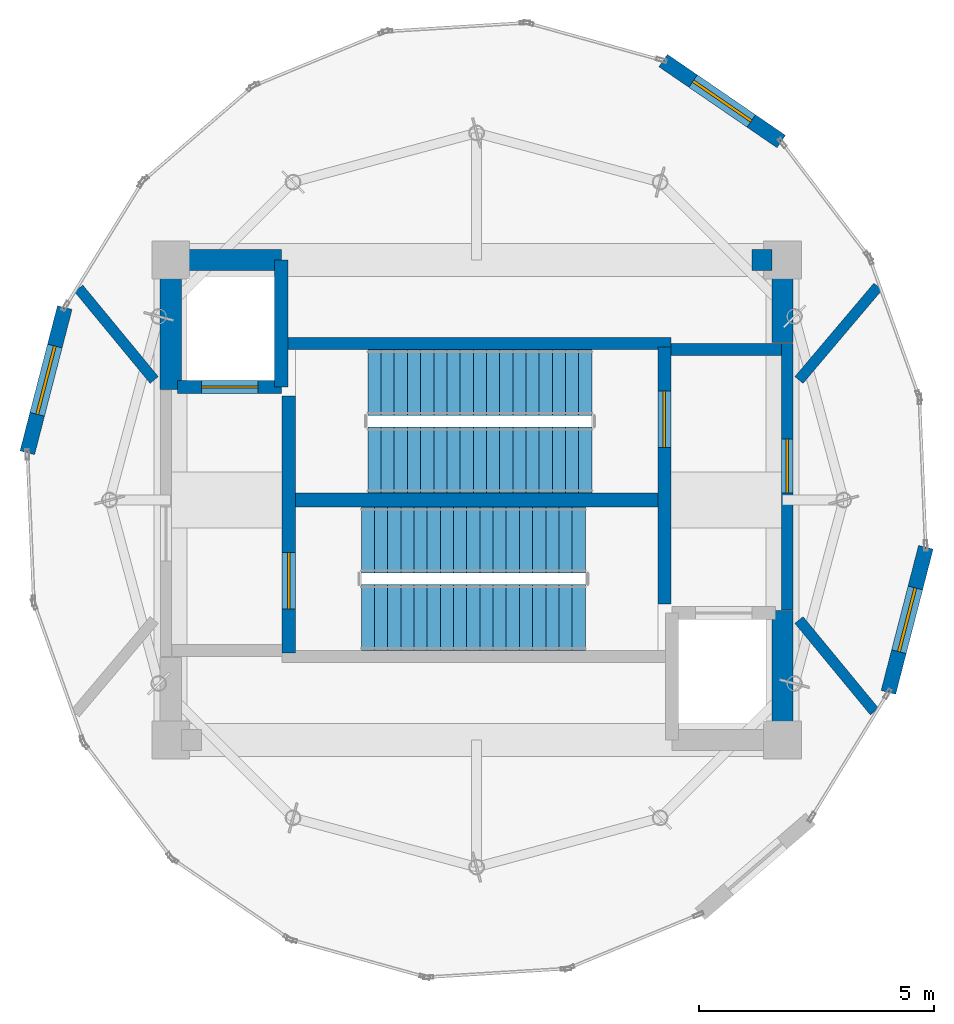
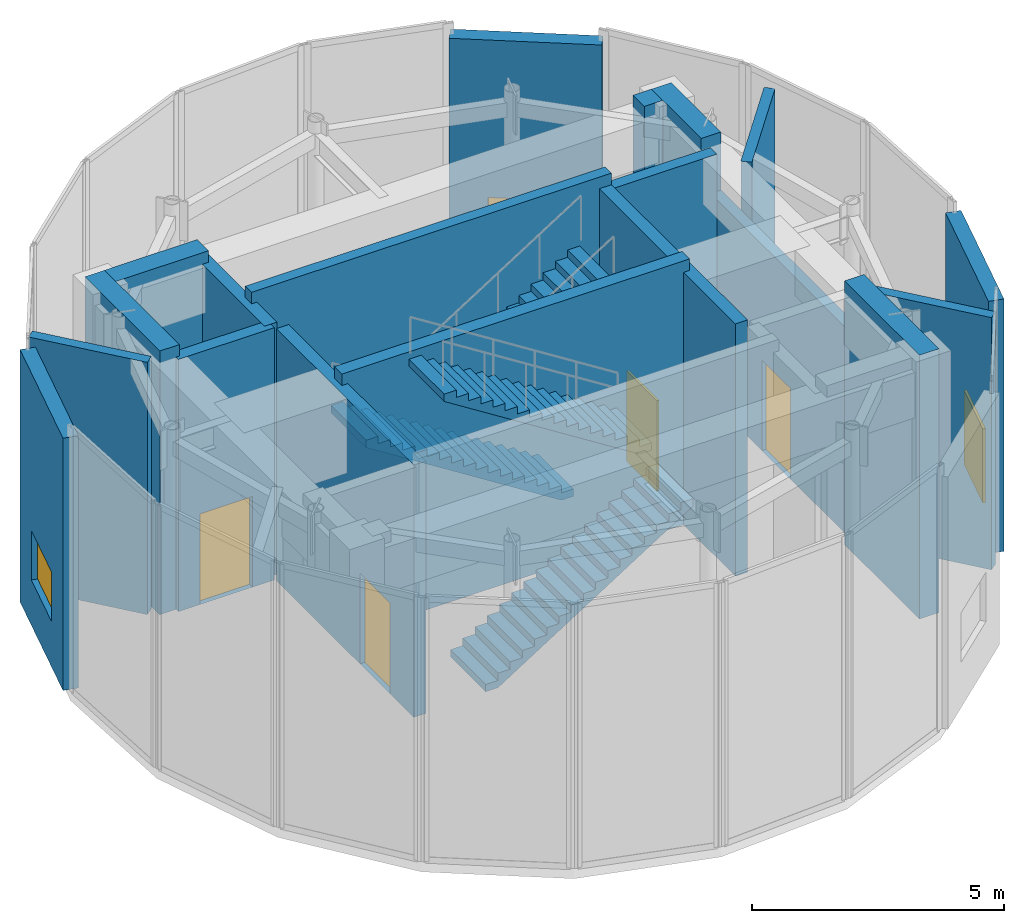
# One storey, part 7 of 8: 19 walls, 4 doors, 4 stair flights, 3 windows, 7 openings, 2 elements without a shape of their own.
"""IFC4 building model written with IfcOpenShell, lengths in metres."""

from ifc_helpers import new_model, si_unit, direction, frame, frame_2d, origin, place, context, subcontext, project, spatial, polyline, rectangle, outline, extrude, material, layer, layer_set, type_object, element, fill, aggregate, save


model = new_model("IFC4")

# Units and contexts
model_context = context("Model", 3, precision=1e-05, world=origin(), true_north=direction((0.0, 1.0)))
body_context = subcontext(model_context, "Body", "Model", "MODEL_VIEW")
ifc_project = project(units=[si_unit("LENGTHUNIT", "METRE"), si_unit("AREAUNIT", "SQUARE_METRE"), si_unit("VOLUMEUNIT", "CUBIC_METRE"), si_unit("PLANEANGLEUNIT", "RADIAN"), si_unit("MASSUNIT", "GRAM", prefix="KILO")], contexts=[model_context])

# Site, building, storey
site_placement = place(None, origin())
site = spatial("IfcSite", under=ifc_project, at=site_placement, CompositionType="ELEMENT")
building_placement = place(site_placement, origin())
building = spatial("IfcBuilding", under=site, at=building_placement, Name="Solvirekh Grand Hotel", CompositionType="ELEMENT")
storey_placement = place(building_placement, frame((0.0, 0.0, 327.39990234375)))
storey = spatial("IfcBuildingStorey", under=building, at=storey_placement, Name="L82", CompositionType="ELEMENT", Elevation=327.39990234375)

# Wall
ifc_material_1 = material(Name="Concrete C50/60", Category="concrete")
ifc_layer_1 = layer(ifc_material_1, 0.35009765625)
ifc_layer_set_1 = layer_set([ifc_layer_1], Name="Concrete C50/60")
wall_type_1 = type_object("IfcWallType", Name="CoreDivWall_RC350", PredefinedType="SOLIDWALL", material=ifc_layer_set_1)
wall_1_placement = place(storey_placement, frame((-4.1298828125, 3.324951171875, 0.0), z_axis=(0.0, 0.0, 1.0), x_axis=(1.0, 0.0, 0.0)))
element("IfcWall", 1, at=wall_1_placement, inside=storey, type_object=wall_type_1, Name="L82 core stair box wall ST-N", PredefinedType="SOLIDWALL", context=body_context, shape_type="SweptSolid", body=[
    extrude(rectangle(XDim=8.259765625, YDim=0.25, at=frame_2d((4.1298828125, 0.0))), origin(), (0.0, 0.0, 1.0), 6.400146484375),
])

# Wall, opening, door
ifc_material_2 = material(Name="Concrete C40/50", Category="concrete")
ifc_layer_2 = layer(ifc_material_2, 0.280029296875)
ifc_layer_set_2 = layer_set([ifc_layer_2], Name="Concrete C40/50")
wall_type_2 = type_object("IfcWallType", Name="CoreShaftWall_RC280", PredefinedType="SOLIDWALL", material=ifc_layer_set_2)
wall_2_placement = place(storey_placement, frame((-6.35009765625, 2.39990234375, 0.0), z_axis=(0.0, 0.0, 1.0), x_axis=(1.0, 0.0, 0.0)))
wall_2 = element("IfcWall", 2, at=wall_2_placement, inside=storey, type_object=wall_type_2, Name="L82 FL-1 hoistway S wall", PredefinedType="SOLIDWALL", context=body_context, shape_type="SweptSolid", body=[
    extrude(rectangle(XDim=2.2001953125, YDim=0.280029296875, at=frame_2d((1.10009765625, 0.0))), origin(), (0.0, 0.0, 1.0), 6.1201171875),
])
opening_1_placement = place(wall_2_placement, frame((0.5, 0.0, 0.0)))
opening_1 = element("IfcOpeningElement", 3, at=opening_1_placement, cuts=wall_2, Name="Opening LD02", PredefinedType="OPENING", context=body_context, shape_type="SweptSolid", body=[
    extrude(rectangle(XDim=1.199951171875, YDim=2.199951171875, at=frame_2d((0.60009765625, 1.10009765625))), frame((0.0, 0.14990234375, 0.0), z_axis=(0.0, -1.0, 0.0), x_axis=(1.0, 0.0, 0.0)), (0.0, 0.0, 1.0), 0.300048828125),
])
ifc_material_3 = material(Name="Fire-Rated Steel Door Assembly", Category="steel")
door_type_1 = type_object("IfcDoorType", Name="Door_LiftFF_1200X2200", OperationType="SLIDING_TO_LEFT", PredefinedType="DOOR", material=ifc_material_3)
door_1_placement = place(opening_1_placement, origin())
door_1 = element("IfcDoor", 4, at=door_1_placement, inside=storey, type_object=door_type_1, Name="L82 FL-1 sliding lift landing door", OperationType="SLIDING_TO_LEFT", OverallHeight=2.199951171875, OverallWidth=1.199951171875, PredefinedType="DOOR", context=body_context, shape_type="SweptSolid", body=[
    extrude(rectangle(XDim=1.199951171875, YDim=2.199951171875, at=frame_2d((0.60009765625, 1.10009765625))), frame((0.0, 0.02490234375, 0.0), z_axis=(0.0, -1.0, 0.0), x_axis=(1.0, 0.0, 0.0)), (0.0, 0.0, 1.0), 0.050048828125),
])
fill(opening_1, door_1)

# Wall
wall_3_placement = place(storey_placement, frame((-4.14990234375, 2.39990234375, 0.0), z_axis=(0.0, 0.0, 1.0), x_axis=(0.0, 1.0, 0.0)))
element("IfcWall", 5, at=wall_3_placement, inside=storey, type_object=wall_type_2, Name="L82 FL-1 hoistway E wall", PredefinedType="SOLIDWALL", context=body_context, shape_type="SweptSolid", body=[
    extrude(rectangle(XDim=2.7001953125, YDim=0.280029296875, at=frame_2d((1.35009765625, 0.0))), origin(), (0.0, 0.0, 1.0), 6.1201171875),
])

# Wall, opening, door
wall_4_placement = place(storey_placement, frame((-3.989990234375, -3.25, 0.0), z_axis=(0.0, 0.0, 1.0), x_axis=(0.0, 1.0, 0.0)))
wall_4 = element("IfcWall", 6, at=wall_4_placement, inside=storey, type_object=wall_type_2, Name="L82 west stair landing enclosure wall", PredefinedType="SOLIDWALL", context=body_context, shape_type="SweptSolid", body=[
    extrude(rectangle(XDim=5.4599609375, YDim=0.280029296875, at=frame_2d((2.72998046875, 0.0))), origin(), (0.0, 0.0, 1.0), 6.1201171875),
])
opening_2_placement = place(wall_4_placement, frame((0.93701171875, 0.0, 0.0)))
opening_2 = element("IfcOpeningElement", 7, at=opening_2_placement, cuts=wall_4, Name="Opening D05", PredefinedType="OPENING", context=body_context, shape_type="SweptSolid", body=[
    extrude(rectangle(XDim=1.199951171875, YDim=2.199951171875, at=frame_2d((0.60009765625, 1.10009765625))), frame((0.0, 0.14990234375, 0.0), z_axis=(0.0, -1.0, 0.0), x_axis=(1.0, 0.0, 0.0)), (0.0, 0.0, 1.0), 0.300048828125),
])
door_type_2 = type_object("IfcDoorType", Name="Door_StairCore_1200X2200", OperationType="NOTDEFINED", PredefinedType="DOOR", material=ifc_material_3)
door_2_placement = place(opening_2_placement, origin())
door_2 = element("IfcDoor", 8, at=door_2_placement, inside=storey, type_object=door_type_2, Name="L82 exit stair ST-1 fire door", OperationType="SINGLE_SWING_RIGHT", OverallHeight=2.199951171875, OverallWidth=1.199951171875, PredefinedType="DOOR", context=body_context, shape_type="SweptSolid", body=[
    extrude(rectangle(XDim=1.199951171875, YDim=2.199951171875, at=frame_2d((0.60009765625, 1.10009765625))), frame((0.0, 0.02490234375, 0.0), z_axis=(0.0, -1.0, 0.0), x_axis=(1.0, 0.0, 0.0)), (0.0, 0.0, 1.0), 0.050048828125),
])
fill(opening_2, door_2)

wall_5_placement = place(storey_placement, frame((3.989990234375, -2.2099609375, 0.0), z_axis=(0.0, 0.0, 1.0), x_axis=(0.0, 1.0, 0.0)))
wall_5 = element("IfcWall", 9, at=wall_5_placement, inside=storey, type_object=wall_type_2, Name="L82 east stair landing enclosure wall", PredefinedType="SOLIDWALL", context=body_context, shape_type="SweptSolid", body=[
    extrude(rectangle(XDim=5.4599609375, YDim=0.280029296875, at=frame_2d((2.72998046875, 0.0))), origin(), (0.0, 0.0, 1.0), 6.1201171875),
])
opening_3_placement = place(wall_5_placement, frame((3.322998046875, 0.0, 0.0)))
opening_3 = element("IfcOpeningElement", 10, at=opening_3_placement, cuts=wall_5, Name="Opening D05", PredefinedType="OPENING", context=body_context, shape_type="SweptSolid", body=[
    extrude(rectangle(XDim=1.199951171875, YDim=2.199951171875, at=frame_2d((0.60009765625, 1.10009765625))), frame((0.0, 0.14990234375, 0.0), z_axis=(0.0, -1.0, 0.0), x_axis=(1.0, 0.0, 0.0)), (0.0, 0.0, 1.0), 0.300048828125),
])
door_3_placement = place(opening_3_placement, origin())
door_3 = element("IfcDoor", 11, at=door_3_placement, inside=storey, type_object=door_type_2, Name="L82 exit stair ST-2 fire door", OperationType="SINGLE_SWING_LEFT", OverallHeight=2.199951171875, OverallWidth=1.199951171875, PredefinedType="DOOR", context=body_context, shape_type="SweptSolid", body=[
    extrude(rectangle(XDim=1.199951171875, YDim=2.199951171875, at=frame_2d((0.60009765625, 1.10009765625))), frame((0.0, 0.02490234375, 0.0), z_axis=(0.0, -1.0, 0.0), x_axis=(1.0, 0.0, 0.0)), (0.0, 0.0, 1.0), 0.050048828125),
])
fill(opening_3, door_3)

# Walls
ifc_layer_3 = layer(ifc_material_1, 0.449951171875)
ifc_layer_set_3 = layer_set([ifc_layer_3], Name="Concrete C50/60")
wall_type_3 = type_object("IfcWallType", Name="CoreWall_RC450", PredefinedType="SHEAR", material=ifc_layer_set_3)
wall_6_placement = place(storey_placement, frame((-3.989990234375, 0.0, 0.0), z_axis=(0.0, 0.0, 1.0), x_axis=(1.0, 0.0, 0.0)))
element("IfcWall", 12, at=wall_6_placement, inside=storey, type_object=wall_type_3, Name="L82 central stair-spine shear wall", PredefinedType="SHEAR", context=body_context, shape_type="SweptSolid", body=[
    extrude(rectangle(XDim=7.97998046875, YDim=0.300048828125, at=frame_2d((3.989990234375, 0.0))), origin(), (0.0, 0.0, 1.0), 6.400146484375),
])
wall_7_placement = place(storey_placement, frame((-6.27490234375, 5.10009765625, 0.0), z_axis=(0.0, 0.0, 1.0), x_axis=(1.0, 0.0, 0.0)))
element("IfcWall", 13, at=wall_7_placement, inside=storey, type_object=wall_type_3, Name="L82 core corner shear wall NW-N", PredefinedType="SHEAR", context=body_context, shape_type="SweptSolid", body=[
    extrude(rectangle(XDim=2.125, YDim=0.449951171875, at=frame_2d((1.0625, 0.0))), origin(), (0.0, 0.0, 1.0), 6.400146484375),
])
wall_8_placement = place(storey_placement, frame((5.85009765625, 5.10009765625, 0.0), z_axis=(0.0, 0.0, 1.0), x_axis=(1.0, 0.0, 0.0)))
element("IfcWall", 14, at=wall_8_placement, inside=storey, type_object=wall_type_3, Name="L82 core corner shear wall NE-N", PredefinedType="SHEAR", context=body_context, shape_type="SweptSolid", body=[
    extrude(rectangle(XDim=0.4248046875, YDim=0.449951171875, at=frame_2d((0.21240234375, 0.0))), origin(), (0.0, 0.0, 1.0), 6.400146484375),
])
for number, where, z_axis, x_axis, name in (
    (15, (-6.5, 2.35009765625, 0.0), (0.0, 0.0, 1.0), (0.0, 1.0, 0.0), "L82 core corner shear wall WN-W"),
    (16, (6.5, -5.324951171875, 0.0), (0.0, 0.0, 1.0), (0.0, 1.0, 0.0), "L82 core corner shear wall ES-E"),
):
    element("IfcWall", number, at=place(storey_placement, frame(where, z_axis=z_axis, x_axis=x_axis)), inside=storey, type_object=wall_type_3, Name=name, PredefinedType="SHEAR", context=body_context, shape_type="SweptSolid", body=[
        extrude(rectangle(XDim=2.974853515625, YDim=0.449951171875, at=frame_2d((1.4873046875, 0.0))), origin(), (0.0, 0.0, 1.0), 6.400146484375),
    ])
wall_9_placement = place(storey_placement, frame((6.5, 3.35009765625, 0.0), z_axis=(0.0, 0.0, 1.0), x_axis=(0.0, 1.0, 0.0)))
element("IfcWall", 17, at=wall_9_placement, inside=storey, type_object=wall_type_3, Name="L82 core corner shear wall EN-E", PredefinedType="SHEAR", context=body_context, shape_type="SweptSolid", body=[
    extrude(rectangle(XDim=1.974853515625, YDim=0.449951171875, at=frame_2d((0.9873046875, 0.0))), origin(), (0.0, 0.0, 1.0), 6.400146484375),
])

# Wall, opening, window
ifc_material_4 = material(Name="Precast concrete C45/55", Category="concrete")
ifc_layer_4 = layer(ifc_material_4, 0.320068359375)
ifc_layer_set_4 = layer_set([ifc_layer_4], Name="Precast concrete C45/55")
wall_type_4 = type_object("IfcWallType", Name="ExtLobbyWall_RC320", PredefinedType="SOLIDWALL", material=ifc_layer_set_4)
wall_10_placement = place(storey_placement, frame((9.547119140625, -1.0029296875, 0.0), z_axis=(0.0, 0.0, 1.0), x_axis=(-0.249792300877, -0.968299440474, 0.0)))
wall_10 = element("IfcWall", 18, at=wall_10_placement, inside=storey, type_object=wall_type_4, Name="L82 exterior structural wall chord 5", PredefinedType="SOLIDWALL", context=body_context, shape_type="SweptSolid", body=[
    extrude(rectangle(XDim=3.187255859375, YDim=0.320068359375, at=frame_2d((1.59375, 0.0))), origin(), (0.0, 0.0, 1.0), 6.1201171875),
])
opening_4_placement = place(wall_10_placement, frame((0.89404296875, 0.0, 0.60009765625)))
opening_4 = element("IfcOpeningElement", 19, at=opening_4_placement, cuts=wall_10, Name="Opening SK03", PredefinedType="OPENING", context=body_context, shape_type="SweptSolid", body=[
    extrude(rectangle(XDim=1.39990234375, YDim=1.800048828125, at=frame_2d((0.699951171875, 0.89990234375))), frame((0.0, 0.169921875, 0.0), z_axis=(0.0, -1.0, 0.0), x_axis=(1.0, 0.0, 0.0)), (0.0, 0.0, 1.0), 0.340087890625),
])
ifc_material_5 = material(Name="Champagne Low-Iron Crown Laminated Glass", Category="glass")
window_type_1 = type_object("IfcWindowType", Name="Skylight_Crown_1400X1800", PartitioningType="SINGLE_PANEL", PredefinedType="SKYLIGHT", material=ifc_material_5)
window_1_placement = place(opening_4_placement, origin())
window_1 = element("IfcWindow", 20, at=window_1_placement, inside=storey, type_object=window_type_1, Name="L82 high-level clerestory skylight 5", OverallHeight=1.800048828125, OverallWidth=1.39990234375, PartitioningType="SINGLE_PANEL", PredefinedType="SKYLIGHT", context=body_context, shape_type="SweptSolid", body=[
    extrude(rectangle(XDim=1.39990234375, YDim=1.800048828125, at=frame_2d((0.699951171875, 0.89990234375))), frame((0.0, 0.030029296875, 0.0), z_axis=(0.0, -1.0, 0.0), x_axis=(1.0, 0.0, 0.0)), (0.0, 0.0, 1.0), 0.06005859375),
])
fill(opening_4, window_1)

wall_11_placement = place(storey_placement, frame((3.964111328125, 9.337890625, 0.0), z_axis=(0.0, 0.0, 1.0), x_axis=(0.824759852462, -0.565483143663, 0.0)))
wall_11 = element("IfcWall", 21, at=wall_11_placement, inside=storey, type_object=wall_type_4, Name="L82 exterior structural wall chord 9", PredefinedType="SOLIDWALL", context=body_context, shape_type="SweptSolid", body=[
    extrude(rectangle(XDim=3.043212890625, YDim=0.320068359375, at=frame_2d((1.521484375, 0.0))), origin(), (0.0, 0.0, 1.0), 6.1201171875),
])
opening_5_placement = place(wall_11_placement, frame((0.77197265625, 0.0, 1.10009765625)))
opening_5 = element("IfcOpeningElement", 22, at=opening_5_placement, cuts=wall_11, Name="Opening W05", PredefinedType="OPENING", context=body_context, shape_type="SweptSolid", body=[
    extrude(rectangle(XDim=1.5, YDim=1.199951171875, at=frame_2d((0.75, 0.60009765625))), frame((0.0, 0.169921875, 0.0), z_axis=(0.0, -1.0, 0.0), x_axis=(1.0, 0.0, 0.0)), (0.0, 0.0, 1.0), 0.340087890625),
])
ifc_material_6 = material(Name="Low-E Tinted Bronze Laminated Glass", Category="aluminium")
window_type_2 = type_object("IfcWindowType", Name="Win_PlantVent_1500X1200", PartitioningType="SINGLE_PANEL", PredefinedType="WINDOW", material=ifc_material_6)
window_2_placement = place(opening_5_placement, origin())
window_2 = element("IfcWindow", 23, at=window_2_placement, inside=storey, type_object=window_type_2, Name="L82 mechanical louvre window 9", OverallHeight=1.199951171875, OverallWidth=1.5, PartitioningType="SINGLE_PANEL", PredefinedType="WINDOW", context=body_context, shape_type="SweptSolid", body=[
    extrude(rectangle(XDim=1.5, YDim=1.199951171875, at=frame_2d((0.75, 0.60009765625))), frame((0.0, 0.030029296875, 0.0), z_axis=(0.0, -1.0, 0.0), x_axis=(1.0, 0.0, 0.0)), (0.0, 0.0, 1.0), 0.06005859375),
])
fill(opening_5, window_2)

wall_12_placement = place(storey_placement, frame((-9.547119140625, 1.0029296875, 0.0), z_axis=(0.0, 0.0, 1.0), x_axis=(0.249792300877, 0.968299440474, 0.0)))
wall_12 = element("IfcWall", 24, at=wall_12_placement, inside=storey, type_object=wall_type_4, Name="L82 exterior structural wall chord 15", PredefinedType="SOLIDWALL", context=body_context, shape_type="SweptSolid", body=[
    extrude(rectangle(XDim=3.187255859375, YDim=0.320068359375, at=frame_2d((1.59375, 0.0))), origin(), (0.0, 0.0, 1.0), 6.1201171875),
])
opening_6_placement = place(wall_12_placement, frame((0.843994140625, 0.0, 1.10009765625)))
opening_6 = element("IfcOpeningElement", 25, at=opening_6_placement, cuts=wall_12, Name="Opening W05", PredefinedType="OPENING", context=body_context, shape_type="SweptSolid", body=[
    extrude(rectangle(XDim=1.5, YDim=1.199951171875, at=frame_2d((0.75, 0.60009765625))), frame((0.0, 0.169921875, 0.0), z_axis=(0.0, -1.0, 0.0), x_axis=(1.0, 0.0, 0.0)), (0.0, 0.0, 1.0), 0.340087890625),
])
window_3_placement = place(opening_6_placement, origin())
window_3 = element("IfcWindow", 26, at=window_3_placement, inside=storey, type_object=window_type_2, Name="L82 mechanical louvre window 15", OverallHeight=1.199951171875, OverallWidth=1.5, PartitioningType="SINGLE_PANEL", PredefinedType="WINDOW", context=body_context, shape_type="SweptSolid", body=[
    extrude(rectangle(XDim=1.5, YDim=1.199951171875, at=frame_2d((0.75, 0.60009765625))), frame((0.0, 0.030029296875, 0.0), z_axis=(0.0, -1.0, 0.0), x_axis=(1.0, 0.0, 0.0)), (0.0, 0.0, 1.0), 0.06005859375),
])
fill(opening_6, window_3)

# Wall, opening, door
ifc_material_7 = material(Name="Acoustic Gypsum Partition Assembly")
ifc_layer_5 = layer(ifc_material_7, 0.239990234375)
ifc_layer_set_5 = layer_set([ifc_layer_5], Name="Acoustic Gypsum Partition Assembly")
wall_type_5 = type_object("IfcWallType", Name="Part_Corridor_240", PredefinedType="PARTITIONING", material=ifc_layer_set_5)
wall_13_placement = place(storey_placement, frame((6.60009765625, -2.340087890625, 0.0), z_axis=(0.0, 0.0, 1.0), x_axis=(0.0, 1.0, 0.0)))
wall_13 = element("IfcWall", 27, at=wall_13_placement, inside=storey, type_object=wall_type_5, Name="L82 east firefighting lobby smoke screen wall", PredefinedType="PARTITIONING", context=body_context, shape_type="SweptSolid", body=[
    extrude(rectangle(XDim=5.670166015625, YDim=0.239990234375, at=frame_2d((2.8349609375, 0.0))), origin(), (0.0, 0.0, 1.0), 5.005126953125),
])
opening_7_placement = place(wall_13_placement, frame((2.486083984375, 0.0, 0.0)))
opening_7 = element("IfcOpeningElement", 28, at=opening_7_placement, cuts=wall_13, Name="Opening D06", PredefinedType="OPENING", context=body_context, shape_type="SweptSolid", body=[
    extrude(rectangle(XDim=1.14990234375, YDim=2.199951171875, at=frame_2d((0.574951171875, 1.10009765625))), frame((0.0, 0.1298828125, 0.0), z_axis=(0.0, -1.0, 0.0), x_axis=(1.0, 0.0, 0.0)), (0.0, 0.0, 1.0), 0.260009765625),
])
door_type_3 = type_object("IfcDoorType", Name="Door_FFLobby_1150X2200", OperationType="NOTDEFINED", PredefinedType="DOOR", material=ifc_material_3)
door_4_placement = place(opening_7_placement, origin())
door_4 = element("IfcDoor", 29, at=door_4_placement, inside=storey, type_object=door_type_3, Name="L82 east firefighting lobby smoke door", OperationType="SINGLE_SWING_LEFT", OverallHeight=2.199951171875, OverallWidth=1.14990234375, PredefinedType="DOOR", context=body_context, shape_type="SweptSolid", body=[
    extrude(rectangle(XDim=1.14990234375, YDim=2.199951171875, at=frame_2d((0.574951171875, 1.10009765625))), frame((0.0, 0.02490234375, 0.0), z_axis=(0.0, -1.0, 0.0), x_axis=(1.0, 0.0, 0.0)), (0.0, 0.0, 1.0), 0.050048828125),
])
fill(opening_7, door_4)

# Walls
ifc_layer_6 = layer(ifc_material_7, 0.260009765625)
ifc_layer_set_6 = layer_set([ifc_layer_6], Name="Acoustic Gypsum Partition Assembly")
wall_type_6 = type_object("IfcWallType", Name="Part_LobbyFF_260", PredefinedType="PARTITIONING", material=ifc_layer_set_6)
wall_14_placement = place(storey_placement, frame((4.1298828125, 3.199951171875, 0.0), z_axis=(0.0, 0.0, 1.0), x_axis=(1.0, 0.0, 0.0)))
element("IfcWall", 30, at=wall_14_placement, inside=storey, type_object=wall_type_6, Name="L82 east firefighting lobby north partition", PredefinedType="PARTITIONING", context=body_context, shape_type="SweptSolid", body=[
    extrude(rectangle(XDim=2.34521484375, YDim=0.260009765625, at=frame_2d((1.172607421875, 0.0))), origin(), (0.0, 0.0, 1.0), 6.1201171875),
])
ifc_layer_7 = layer(ifc_material_4, 0.22509765625)
ifc_layer_set_7 = layer_set([ifc_layer_7], Name="Precast concrete C45/55")
wall_type_7 = type_object("IfcWallType", Name="Part_Plant_225", PredefinedType="PARTITIONING", material=ifc_layer_set_7)
wall_15_placement = place(storey_placement, frame((-6.85009765625, 2.550048828125, 0.0), z_axis=(0.0, 0.0, 1.0), x_axis=(-0.636223045641, 0.771505175741, 0.0)))
element("IfcWall", 31, at=wall_15_placement, inside=storey, type_object=wall_type_7, Name="L82 west crown plant north wall", PredefinedType="PARTITIONING", context=body_context, shape_type="SweptSolid", body=[
    extrude(rectangle(XDim=2.521240234375, YDim=0.22509765625, at=frame_2d((1.2607421875, 0.0))), origin(), (0.0, 0.0, 1.0), 6.1201171875),
])
wall_16_placement = place(storey_placement, frame((6.85009765625, 2.550048828125, 0.0), z_axis=(0.0, 0.0, 1.0), x_axis=(0.645820150002, 0.76348957678, 0.0)))
element("IfcWall", 32, at=wall_16_placement, inside=storey, type_object=wall_type_7, Name="L82 east crown plant north wall", PredefinedType="PARTITIONING", context=body_context, shape_type="SweptSolid", body=[
    extrude(rectangle(XDim=2.599609375, YDim=0.22509765625, at=frame_2d((1.2998046875, 0.0))), origin(), (0.0, 0.0, 1.0), 6.1201171875),
])
wall_17_placement = place(storey_placement, frame((6.85009765625, -2.550048828125, 0.0), z_axis=(0.0, 0.0, 1.0), x_axis=(0.636223045641, -0.771505175741, 0.0)))
element("IfcWall", 33, at=wall_17_placement, inside=storey, type_object=wall_type_7, Name="L82 east crown plant south wall", PredefinedType="PARTITIONING", context=body_context, shape_type="SweptSolid", body=[
    extrude(rectangle(XDim=2.521240234375, YDim=0.22509765625, at=frame_2d((1.2607421875, 0.0))), origin(), (0.0, 0.0, 1.0), 6.1201171875),
])

# Stair, stair flights
stair_type = type_object("IfcStairType", Name="Stair_Core_1450", PredefinedType="HALF_TURN_STAIR", material=ifc_material_2)
stair_1_placement = place(storey_placement, origin())
stair_1 = element("IfcStair", 34, at=stair_1_placement, inside=storey, type_object=stair_type, Name="L82 Enclosed exit stair ST-1", PredefinedType="HALF_TURN_STAIR")
stair_flight_type = type_object("IfcStairFlightType", Name="Flight_Core_1450", PredefinedType="STRAIGHT", material=ifc_material_2)
stair_flight_1_placement = place(storey_placement, frame((-2.449951171875, -2.5, 0.0), z_axis=(0.0, 0.0, 1.0), x_axis=(1.0, 0.0, 0.0)))
stair_flight_1 = element("IfcStairFlight", 35, at=stair_flight_1_placement, type_object=stair_flight_type, Name="ST-1 flight 1", NumberOfRisers=18, NumberOfTreads=17, PredefinedType="STRAIGHT", RiserHeight=0.177777778, TreadLength=0.28, context=body_context, shape_type="SweptSolid", body=[
    extrude(outline(polyline([(0.0, 0.0), (0.0, 0.177734375), (0.280029296875, 0.177734375), (0.280029296875, 0.35546875), (0.56005859375, 0.35546875), (0.56005859375, 0.533447265625), (0.840087890625, 0.533447265625), (0.840087890625, 0.711181640625), (1.1201171875, 0.711181640625), (1.1201171875, 0.888916015625), (1.39990234375, 0.888916015625), (1.39990234375, 1.066650390625), (1.679931640625, 1.066650390625), (1.679931640625, 1.244384765625), (1.9599609375, 1.244384765625), (1.9599609375, 1.422119140625), (2.239990234375, 1.422119140625), (2.239990234375, 1.60009765625), (2.52001953125, 1.60009765625), (2.52001953125, 1.77783203125), (2.800048828125, 1.77783203125), (2.800048828125, 1.95556640625), (3.080078125, 1.95556640625), (3.080078125, 2.13330078125), (3.360107421875, 2.13330078125), (3.360107421875, 2.31103515625), (3.639892578125, 2.31103515625), (3.639892578125, 2.48876953125), (3.919921875, 2.48876953125), (3.919921875, 2.666748046875), (4.199951171875, 2.666748046875), (4.199951171875, 2.844482421875), (4.47998046875, 2.844482421875), (4.47998046875, 3.022216796875), (4.760009765625, 3.022216796875), (4.760009765625, 3.199951171875), (4.760009765625, 2.8447265625), (0.27978515625, 0.0), (0.0, 0.0)])), frame((0.0, 0.699951171875, 0.0), z_axis=(0.0, -1.0, 0.0), x_axis=(1.0, 0.0, 0.0)), (0.0, 0.0, 1.0), 1.39990234375),
])
stair_flight_2_placement = place(storey_placement, frame((2.31005859375, -0.85009765625, 3.2001953125), z_axis=(0.0, 0.0, 1.0), x_axis=(-1.0, 0.0, 0.0)))
stair_flight_2 = element("IfcStairFlight", 36, at=stair_flight_2_placement, type_object=stair_flight_type, Name="ST-1 flight 2", NumberOfRisers=18, NumberOfTreads=17, PredefinedType="STRAIGHT", RiserHeight=0.177777778, TreadLength=0.28, context=body_context, shape_type="SweptSolid", body=[
    extrude(outline(polyline([(0.0, 0.0), (0.0, 0.177734375), (0.280029296875, 0.177734375), (0.280029296875, 0.35546875), (0.56005859375, 0.35546875), (0.56005859375, 0.533447265625), (0.840087890625, 0.533447265625), (0.840087890625, 0.711181640625), (1.1201171875, 0.711181640625), (1.1201171875, 0.888916015625), (1.39990234375, 0.888916015625), (1.39990234375, 1.066650390625), (1.679931640625, 1.066650390625), (1.679931640625, 1.244384765625), (1.9599609375, 1.244384765625), (1.9599609375, 1.422119140625), (2.239990234375, 1.422119140625), (2.239990234375, 1.60009765625), (2.52001953125, 1.60009765625), (2.52001953125, 1.77783203125), (2.800048828125, 1.77783203125), (2.800048828125, 1.95556640625), (3.080078125, 1.95556640625), (3.080078125, 2.13330078125), (3.360107421875, 2.13330078125), (3.360107421875, 2.31103515625), (3.639892578125, 2.31103515625), (3.639892578125, 2.48876953125), (3.919921875, 2.48876953125), (3.919921875, 2.666748046875), (4.199951171875, 2.666748046875), (4.199951171875, 2.844482421875), (4.47998046875, 2.844482421875), (4.47998046875, 3.022216796875), (4.760009765625, 3.022216796875), (4.760009765625, 3.199951171875), (4.760009765625, 2.8447265625), (0.27978515625, 0.0), (0.0, 0.0)])), frame((0.0, 0.699951171875, 0.0), z_axis=(0.0, -1.0, 0.0), x_axis=(1.0, 0.0, 0.0)), (0.0, 0.0, 1.0), 1.39990234375),
])
aggregate(stair_1, [stair_flight_1, stair_flight_2])

stair_2_placement = place(storey_placement, origin())
stair_2 = element("IfcStair", 37, at=stair_2_placement, inside=storey, type_object=stair_type, Name="L82 Enclosed exit stair ST-2", PredefinedType="HALF_TURN_STAIR")
stair_flight_3_placement = place(storey_placement, frame((2.449951171875, 2.5, 0.0), z_axis=(0.0, 0.0, 1.0), x_axis=(-1.0, 0.0, 0.0)))
stair_flight_3 = element("IfcStairFlight", 38, at=stair_flight_3_placement, type_object=stair_flight_type, Name="ST-2 flight 1", NumberOfRisers=18, NumberOfTreads=17, PredefinedType="STRAIGHT", RiserHeight=0.177777778, TreadLength=0.28, context=body_context, shape_type="SweptSolid", body=[
    extrude(outline(polyline([(0.0, 0.0), (0.0, 0.177734375), (0.280029296875, 0.177734375), (0.280029296875, 0.35546875), (0.56005859375, 0.35546875), (0.56005859375, 0.533447265625), (0.840087890625, 0.533447265625), (0.840087890625, 0.711181640625), (1.1201171875, 0.711181640625), (1.1201171875, 0.888916015625), (1.39990234375, 0.888916015625), (1.39990234375, 1.066650390625), (1.679931640625, 1.066650390625), (1.679931640625, 1.244384765625), (1.9599609375, 1.244384765625), (1.9599609375, 1.422119140625), (2.239990234375, 1.422119140625), (2.239990234375, 1.60009765625), (2.52001953125, 1.60009765625), (2.52001953125, 1.77783203125), (2.800048828125, 1.77783203125), (2.800048828125, 1.95556640625), (3.080078125, 1.95556640625), (3.080078125, 2.13330078125), (3.360107421875, 2.13330078125), (3.360107421875, 2.31103515625), (3.639892578125, 2.31103515625), (3.639892578125, 2.48876953125), (3.919921875, 2.48876953125), (3.919921875, 2.666748046875), (4.199951171875, 2.666748046875), (4.199951171875, 2.844482421875), (4.47998046875, 2.844482421875), (4.47998046875, 3.022216796875), (4.760009765625, 3.022216796875), (4.760009765625, 3.199951171875), (4.760009765625, 2.8447265625), (0.27978515625, 0.0), (0.0, 0.0)])), frame((0.0, 0.699951171875, 0.0), z_axis=(0.0, -1.0, 0.0), x_axis=(1.0, 0.0, 0.0)), (0.0, 0.0, 1.0), 1.39990234375),
])
stair_flight_4_placement = place(storey_placement, frame((-2.31005859375, 0.85009765625, 3.2001953125), z_axis=(0.0, 0.0, 1.0), x_axis=(1.0, 0.0, 0.0)))
stair_flight_4 = element("IfcStairFlight", 39, at=stair_flight_4_placement, type_object=stair_flight_type, Name="ST-2 flight 2", NumberOfRisers=18, NumberOfTreads=17, PredefinedType="STRAIGHT", RiserHeight=0.177777778, TreadLength=0.28, context=body_context, shape_type="SweptSolid", body=[
    extrude(outline(polyline([(0.0, 0.0), (0.0, 0.177734375), (0.280029296875, 0.177734375), (0.280029296875, 0.35546875), (0.56005859375, 0.35546875), (0.56005859375, 0.533447265625), (0.840087890625, 0.533447265625), (0.840087890625, 0.711181640625), (1.1201171875, 0.711181640625), (1.1201171875, 0.888916015625), (1.39990234375, 0.888916015625), (1.39990234375, 1.066650390625), (1.679931640625, 1.066650390625), (1.679931640625, 1.244384765625), (1.9599609375, 1.244384765625), (1.9599609375, 1.422119140625), (2.239990234375, 1.422119140625), (2.239990234375, 1.60009765625), (2.52001953125, 1.60009765625), (2.52001953125, 1.77783203125), (2.800048828125, 1.77783203125), (2.800048828125, 1.95556640625), (3.080078125, 1.95556640625), (3.080078125, 2.13330078125), (3.360107421875, 2.13330078125), (3.360107421875, 2.31103515625), (3.639892578125, 2.31103515625), (3.639892578125, 2.48876953125), (3.919921875, 2.48876953125), (3.919921875, 2.666748046875), (4.199951171875, 2.666748046875), (4.199951171875, 2.844482421875), (4.47998046875, 2.844482421875), (4.47998046875, 3.022216796875), (4.760009765625, 3.022216796875), (4.760009765625, 3.199951171875), (4.760009765625, 2.8447265625), (0.27978515625, 0.0), (0.0, 0.0)])), frame((0.0, 0.699951171875, 0.0), z_axis=(0.0, -1.0, 0.0), x_axis=(1.0, 0.0, 0.0)), (0.0, 0.0, 1.0), 1.39990234375),
])
aggregate(stair_2, [stair_flight_3, stair_flight_4])

save(model, "model.ifc")
